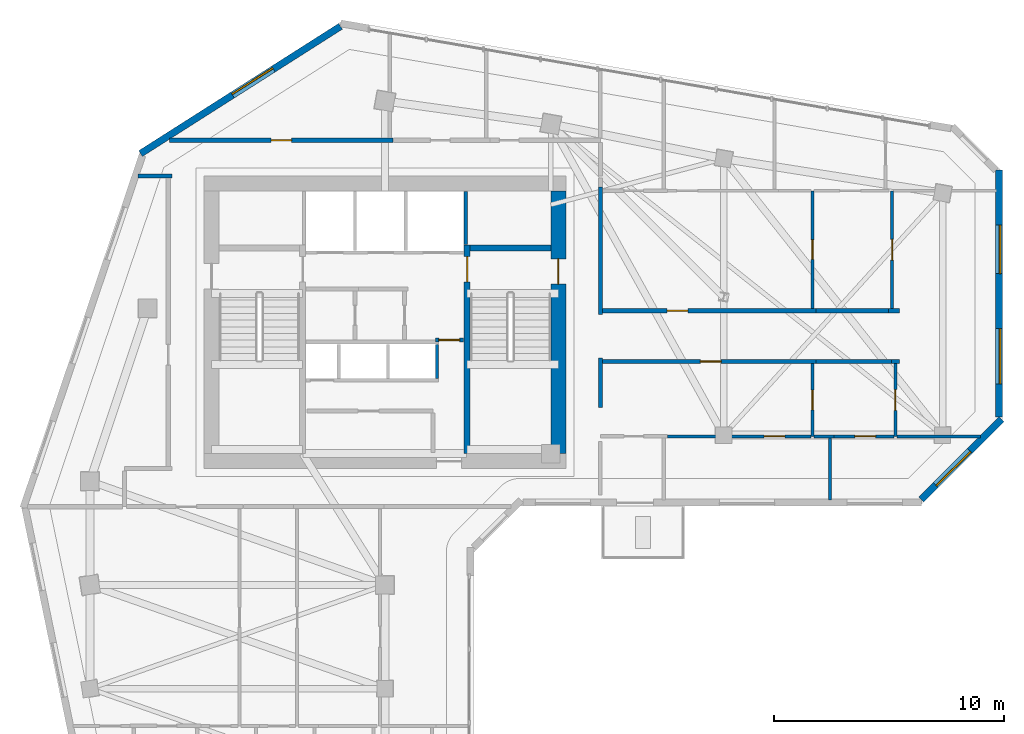
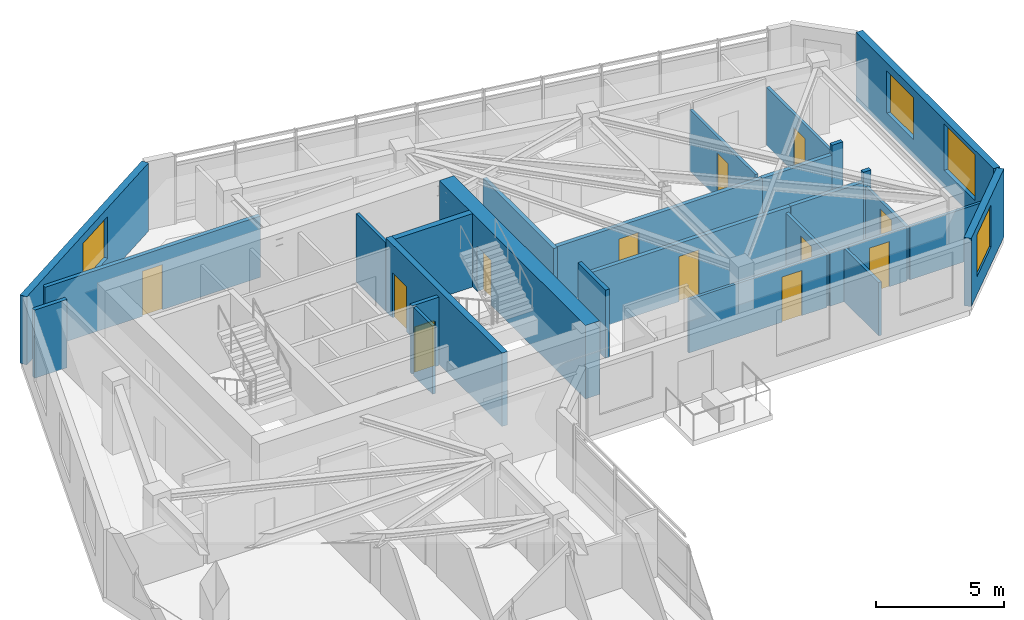
# One storey, part 7 of 11: 28 walls, 12 doors, 4 windows, 16 openings.
"""IFC4 building model written with IfcOpenShell, lengths in metres."""

from ifc_helpers import new_model, si_unit, direction, frame, frame_2d, origin, place, context, subcontext, project, spatial, rectangle, extrude, source, transform, mapped, material, layer, layer_set, type_object, element, fill, save


model = new_model("IFC4")

# Units and contexts
model_context = context("Model", 3, precision=1e-05, world=origin(), true_north=direction((0.0, 1.0)))
body_context = subcontext(model_context, "Body", "Model", "MODEL_VIEW")
ifc_project = project(units=[si_unit("LENGTHUNIT", "METRE"), si_unit("AREAUNIT", "SQUARE_METRE"), si_unit("VOLUMEUNIT", "CUBIC_METRE"), si_unit("PLANEANGLEUNIT", "RADIAN"), si_unit("MASSUNIT", "GRAM", prefix="KILO")], contexts=[model_context])

# Site, building, storey
site_placement = place(None, origin())
site = spatial("IfcSite", under=ifc_project, at=site_placement, CompositionType="ELEMENT")
building_placement = place(site_placement, origin())
building = spatial("IfcBuilding", under=site, at=building_placement, Name="Calvemar Wedge Station Tower", CompositionType="ELEMENT")
storey_placement = place(building_placement, frame((0.0, 0.0, 186.89990234375)))
storey = spatial("IfcBuildingStorey", under=building, at=storey_placement, Name="L46", CompositionType="ELEMENT", Elevation=186.89990234375)

# Wall, opening, door
ifc_material_1 = material(Name="Concrete C50", Category="concrete")
ifc_layer_1 = layer(ifc_material_1, 0.260009765625)
ifc_layer_set_1 = layer_set([ifc_layer_1], Name="Concrete C50")
wall_type_1 = type_object("IfcWallType", Name="SW-CORE-260", PredefinedType="SHEAR", material=ifc_layer_set_1)
wall_1_placement = place(storey_placement, frame((27.3701171875, 34.199951171875, 0.0), z_axis=(0.0, 0.0, 1.0), x_axis=(0.0, 1.0, 0.0)))
wall_1 = element("IfcWall", 1, at=wall_1_placement, inside=storey, type_object=wall_type_1, Name="Storey L46 Core Shear Wall SPINE-E", PredefinedType="SHEAR", context=body_context, shape_type="SweptSolid", body=[
    extrude(rectangle(XDim=9.06005859375, YDim=0.260009765625, at=frame_2d((4.530029296875, 0.0))), origin(), (0.0, 0.0, 1.0), 3.5),
])
shared_shape_1 = source(origin(), body_context, "Body", "SweptSolid", [
    extrude(rectangle(XDim=1.10009765625, YDim=2.14990234375, at=frame_2d((0.550048828125, 1.074951171875))), frame((0.0, 0.14013671875, 0.0), z_axis=(0.0, -1.0, 0.0), x_axis=(1.0, 0.0, 0.0)), (0.0, 0.0, 1.0), 0.280029296875),
])
opening_1_placement = place(wall_1_placement, frame((7.449951171875, 0.0, 0.0)))
opening_1 = element("IfcOpeningElement", 2, at=opening_1_placement, cuts=wall_1, Name="Opening FD-90", PredefinedType="OPENING", context=body_context, shape_type="MappedRepresentation", body=[
    mapped(shared_shape_1, transform((0.0, 0.0, 0.0), scale=1.0)),
])
ifc_material_2 = material(Name="Galvanized fire-rated steel door leaf P-90", Category="steel")
door_type_1 = type_object("IfcDoorType", Name="DR-FD90-1100", OperationType="NOTDEFINED", PredefinedType="DOOR", material=ifc_material_2)
shared_shape_2 = source(origin(), body_context, "Body", "SweptSolid", [
    extrude(rectangle(XDim=1.10009765625, YDim=2.14990234375, at=frame_2d((0.550048828125, 1.074951171875))), frame((0.0, 0.02490234375, 0.0), z_axis=(0.0, -1.0, 0.0), x_axis=(1.0, 0.0, 0.0)), (0.0, 0.0, 1.0), 0.050048828125),
])
door_1_placement = place(opening_1_placement, origin())
door_1 = element("IfcDoor", 3, at=door_1_placement, inside=storey, type_object=door_type_1, Name="L46 FF Lobby to Stair ST-C2 Door", OperationType="SINGLE_SWING_RIGHT", OverallHeight=2.14990234375, OverallWidth=1.10009765625, PredefinedType="DOOR", context=body_context, shape_type="MappedRepresentation", body=[
    mapped(shared_shape_2, transform((0.0, 0.0, 0.0), scale=1.0)),
])
fill(opening_1, door_1)

# Wall
wall_2_placement = place(storey_placement, frame((27.5, 43.1298828125, 0.0), z_axis=(0.0, 0.0, 1.0), x_axis=(1.0, 0.0, 0.0)))
element("IfcWall", 4, at=wall_2_placement, inside=storey, type_object=wall_type_1, Name="Storey L46 Core Shear Wall STC2-N", PredefinedType="SHEAR", context=body_context, shape_type="SweptSolid", body=[
    extrude(rectangle(XDim=3.5, YDim=0.260009765625, at=frame_2d((1.75, 0.0))), origin(), (0.0, 0.0, 1.0), 3.5),
])

# Wall, opening, door
ifc_material_3 = material(Name="Concrete C60", Category="concrete")
ifc_layer_2 = layer(ifc_material_3, 0.64990234375)
ifc_layer_set_2 = layer_set([ifc_layer_2], Name="Concrete C60")
wall_type_2 = type_object("IfcWallType", Name="SW-CORE-650", PredefinedType="SHEAR", material=ifc_layer_set_2)
wall_3_placement = place(storey_placement, frame((31.324951171875, 34.199951171875, 0.0), z_axis=(0.0, 0.0, 1.0), x_axis=(0.0, 1.0, 0.0)))
wall_3 = element("IfcWall", 5, at=wall_3_placement, inside=storey, type_object=wall_type_2, Name="Storey L46 Core Shear Wall E", PredefinedType="SHEAR", context=body_context, shape_type="SweptSolid", body=[
    extrude(rectangle(XDim=11.400146484375, YDim=0.64990234375, at=frame_2d((5.7001953125, 0.0))), origin(), (0.0, 0.0, 1.0), 3.5),
])
shared_shape_3 = source(origin(), body_context, "Body", "SweptSolid", [
    extrude(rectangle(XDim=1.10009765625, YDim=2.14990234375, at=frame_2d((0.550048828125, 1.074951171875))), frame((0.0, 0.3349609375, 0.0), z_axis=(0.0, -1.0, 0.0), x_axis=(1.0, 0.0, 0.0)), (0.0, 0.0, 1.0), 0.669921875),
])
opening_2_placement = place(wall_3_placement, frame((7.35009765625, 0.0, 0.0)))
opening_2 = element("IfcOpeningElement", 6, at=opening_2_placement, cuts=wall_3, Name="Opening FD-90", PredefinedType="OPENING", context=body_context, shape_type="MappedRepresentation", body=[
    mapped(shared_shape_3, transform((0.0, 0.0, 0.0), scale=1.0)),
])
door_2_placement = place(opening_2_placement, origin())
door_2 = element("IfcDoor", 7, at=door_2_placement, inside=storey, type_object=door_type_1, Name="L46 East Corridor to Exit Stair ST-C2 Door", OperationType="SINGLE_SWING_RIGHT", OverallHeight=2.14990234375, OverallWidth=1.10009765625, PredefinedType="DOOR", context=body_context, shape_type="MappedRepresentation", body=[
    mapped(shared_shape_2, transform((0.0, 0.0, 0.0), scale=1.0)),
])
fill(opening_2, door_2)

ifc_material_4 = material(Name="Double-stud fire-rated corridor partition")
ifc_layer_3 = layer(ifc_material_4, 0.179931640625)
ifc_layer_set_3 = layer_set([ifc_layer_3], Name="Double-stud fire-rated corridor partition")
wall_type_3 = type_object("IfcWallType", Name="W-CORR-180", PredefinedType="PARTITIONING", material=ifc_layer_set_3)
wall_4_placement = place(storey_placement, frame((27.199951171875, 39.1298828125, 0.0), z_axis=(0.0, 0.0, 1.0), x_axis=(-1.0, 0.0, 0.0)))
wall_4 = element("IfcWall", 8, at=wall_4_placement, inside=storey, type_object=wall_type_3, Name="Storey L46 Interior Partition WL-L46-005", PredefinedType="PARTITIONING", context=body_context, shape_type="SweptSolid", body=[
    extrude(rectangle(XDim=1.2099609375, YDim=0.179931640625, at=frame_2d((0.60498046875, 0.0))), origin(), (0.0, 0.0, 1.0), 3.25),
])
shared_shape_4 = source(origin(), body_context, "Body", "SweptSolid", [
    extrude(rectangle(XDim=0.89990234375, YDim=2.14990234375, at=frame_2d((0.449951171875, 1.074951171875))), frame((0.0, 0.10009765625, 0.0), z_axis=(0.0, -1.0, 0.0), x_axis=(1.0, 0.0, 0.0)), (0.0, 0.0, 1.0), 0.199951171875),
])
opening_3_placement = place(wall_4_placement, frame((0.155029296875, 0.0, 0.0)))
opening_3 = element("IfcOpeningElement", 9, at=opening_3_placement, cuts=wall_4, Name="Opening FD-60", PredefinedType="OPENING", context=body_context, shape_type="MappedRepresentation", body=[
    mapped(shared_shape_4, transform((0.0, 0.0, 0.0), scale=1.0)),
])
ifc_material_5 = material(Name="Fire-rated acoustic timber-core entrance door EI 60", Category="wood")
door_type_2 = type_object("IfcDoorType", Name="DR-FD60-900", OperationType="NOTDEFINED", PredefinedType="DOOR", material=ifc_material_5)
shared_shape_5 = source(origin(), body_context, "Body", "SweptSolid", [
    extrude(rectangle(XDim=0.89990234375, YDim=2.14990234375, at=frame_2d((0.449951171875, 1.074951171875))), frame((0.0, 0.02490234375, 0.0), z_axis=(0.0, -1.0, 0.0), x_axis=(1.0, 0.0, 0.0)), (0.0, 0.0, 1.0), 0.050048828125),
])
door_3_placement = place(opening_3_placement, origin())
door_3 = element("IfcDoor", 10, at=door_3_placement, inside=storey, type_object=door_type_2, Name="L46 Core Service Lobby Door", OperationType="SINGLE_SWING_RIGHT", OverallHeight=2.14990234375, OverallWidth=0.89990234375, PredefinedType="DOOR", context=body_context, shape_type="MappedRepresentation", body=[
    mapped(shared_shape_5, transform((0.0, 0.0, 0.0), scale=1.0)),
])
fill(opening_3, door_3)

# Wall
wall_5_placement = place(storey_placement, frame((14.56005859375, 46.25, 0.0), z_axis=(0.0, 0.0, 1.0), x_axis=(-1.0, 0.0, 0.0)))
element("IfcWall", 11, at=wall_5_placement, inside=storey, type_object=wall_type_3, Name="Storey L46 Interior Partition WL-L46-015", PredefinedType="PARTITIONING", context=body_context, shape_type="SweptSolid", body=[
    extrude(rectangle(XDim=1.46875, YDim=0.179931640625, at=frame_2d((0.734375, 0.0))), origin(), (0.0, 0.0, 1.0), 3.25),
])

# Wall, opening, door
wall_6_placement = place(storey_placement, frame((14.45263671875, 47.800048828125, 0.0), z_axis=(0.0, 0.0, 1.0), x_axis=(1.0, 0.0, 0.0)))
wall_6 = element("IfcWall", 12, at=wall_6_placement, inside=storey, type_object=wall_type_3, Name="Storey L46 Interior Partition WL-L46-016", PredefinedType="PARTITIONING", context=body_context, shape_type="SweptSolid", body=[
    extrude(rectangle(XDim=9.707275390625, YDim=0.179931640625, at=frame_2d((4.853515625, 0.0))), origin(), (0.0, 0.0, 1.0), 2.919189453125),
])
opening_4_placement = place(wall_6_placement, frame((4.40380859375, 0.0, 0.0)))
opening_4 = element("IfcOpeningElement", 13, at=opening_4_placement, cuts=wall_6, Name="Opening D-01", PredefinedType="OPENING", context=body_context, shape_type="MappedRepresentation", body=[
    mapped(shared_shape_4, transform((0.0, 0.0, 0.0), scale=1.0)),
])
ifc_material_6 = material(Name="Architectural hardwood acoustic swing door", Category="wood")
door_type_3 = type_object("IfcDoorType", Name="DR-INT-900", OperationType="NOTDEFINED", PredefinedType="DOOR", material=ifc_material_6)
shared_shape_6 = source(origin(), body_context, "Body", "SweptSolid", [
    extrude(rectangle(XDim=0.89990234375, YDim=2.14990234375, at=frame_2d((0.449951171875, 1.074951171875))), frame((0.0, 0.02490234375, 0.0), z_axis=(0.0, -1.0, 0.0), x_axis=(1.0, 0.0, 0.0)), (0.0, 0.0, 1.0), 0.050048828125),
])
door_4_placement = place(opening_4_placement, origin())
door_4 = element("IfcDoor", 14, at=door_4_placement, inside=storey, type_object=door_type_3, Name="L46 Resident Reading Study Door", OperationType="SINGLE_SWING_LEFT", OverallHeight=2.14990234375, OverallWidth=0.89990234375, PredefinedType="DOOR", context=body_context, shape_type="MappedRepresentation", body=[
    mapped(shared_shape_6, transform((0.0, 0.0, 0.0), scale=1.0)),
])
fill(opening_4, door_4)

# Walls
wall_7_placement = place(storey_placement, frame((33.14990234375, 45.76611328125, 0.0), z_axis=(0.0, 0.0, 1.0), x_axis=(0.0, -1.0, 0.0)))
element("IfcWall", 15, at=wall_7_placement, inside=storey, type_object=wall_type_3, Name="Storey L46 Interior Partition WL-L46-020", PredefinedType="PARTITIONING", context=body_context, shape_type="SweptSolid", body=[
    extrude(rectangle(XDim=5.526123046875, YDim=0.179931640625, at=frame_2d((2.76318359375, 0.0))), origin(), (0.0, 0.0, 1.0), 2.779052734375),
])
wall_8_placement = place(storey_placement, frame((33.14990234375, 38.360107421875, 0.0), z_axis=(0.0, 0.0, 1.0), x_axis=(0.0, -1.0, 0.0)))
element("IfcWall", 16, at=wall_8_placement, inside=storey, type_object=wall_type_3, Name="Storey L46 Interior Partition WL-L46-022", PredefinedType="PARTITIONING", context=body_context, shape_type="SweptSolid", body=[
    extrude(rectangle(XDim=2.16015625, YDim=0.179931640625, at=frame_2d((1.080078125, 0.0))), origin(), (0.0, 0.0, 1.0), 3.25),
])
wall_9_placement = place(storey_placement, frame((45.64794921875, 40.39990234375, 0.0), z_axis=(0.0, 0.0, 1.0), x_axis=(1.0, 0.0, 0.0)))
element("IfcWall", 17, at=wall_9_placement, inside=storey, type_object=wall_type_3, Name="Storey L46 Interior Partition WL-L46-027", PredefinedType="PARTITIONING", context=body_context, shape_type="SweptSolid", body=[
    extrude(rectangle(XDim=0.487060546875, YDim=0.179931640625, at=frame_2d((0.24365234375, 0.0))), origin(), (0.0, 0.0, 1.0), 3.25),
])

# Wall, opening, door
wall_10_placement = place(storey_placement, frame((33.243896484375, 40.39990234375, 0.0), z_axis=(0.0, 0.0, 1.0), x_axis=(1.0, 0.0, 0.0)))
wall_10 = element("IfcWall", 18, at=wall_10_placement, inside=storey, type_object=wall_type_3, Name="Storey L46 Interior Partition WL-L46-028", PredefinedType="PARTITIONING", context=body_context, shape_type="SweptSolid", body=[
    extrude(rectangle(XDim=9.26611328125, YDim=0.179931640625, at=frame_2d((4.633056640625, 0.0))), origin(), (0.0, 0.0, 1.0), 2.76611328125),
])
opening_5_placement = place(wall_10_placement, frame((2.802001953125, 0.0, 0.0)))
opening_5 = element("IfcOpeningElement", 19, at=opening_5_placement, cuts=wall_10, Name="Opening FD-60", PredefinedType="OPENING", context=body_context, shape_type="MappedRepresentation", body=[
    mapped(shared_shape_4, transform((0.0, 0.0, 0.0), scale=1.0)),
])
door_5_placement = place(opening_5_placement, origin())
door_5 = element("IfcDoor", 20, at=door_5_placement, inside=storey, type_object=door_type_2, Name="L46 Living Dining Door", OperationType="SINGLE_SWING_LEFT", OverallHeight=2.14990234375, OverallWidth=0.89990234375, PredefinedType="DOOR", context=body_context, shape_type="MappedRepresentation", body=[
    mapped(shared_shape_5, transform((0.0, 0.0, 0.0), scale=1.0)),
])
fill(opening_5, door_5)

# Walls
wall_11_placement = place(storey_placement, frame((42.511962890625, 40.39990234375, 0.0), z_axis=(0.0, 0.0, 1.0), x_axis=(1.0, 0.0, 0.0)))
element("IfcWall", 21, at=wall_11_placement, inside=storey, type_object=wall_type_3, Name="Storey L46 Interior Partition WL-L46-029", PredefinedType="PARTITIONING", context=body_context, shape_type="SweptSolid", body=[
    extrude(rectangle(XDim=3.134033203125, YDim=0.179931640625, at=frame_2d((1.56689453125, 0.0))), origin(), (0.0, 0.0, 1.0), 2.779052734375),
])
wall_12_placement = place(storey_placement, frame((46.135009765625, 38.199951171875, 0.0), z_axis=(0.0, 0.0, 1.0), x_axis=(-1.0, 0.0, 0.0)))
element("IfcWall", 22, at=wall_12_placement, inside=storey, type_object=wall_type_3, Name="Storey L46 Interior Partition WL-L46-030", PredefinedType="PARTITIONING", context=body_context, shape_type="SweptSolid", body=[
    extrude(rectangle(XDim=0.344970703125, YDim=0.179931640625, at=frame_2d((0.17236328125, 0.0))), origin(), (0.0, 0.0, 1.0), 3.25),
])

# Wall, opening, door
wall_13_placement = place(storey_placement, frame((42.510009765625, 38.199951171875, 0.0), z_axis=(0.0, 0.0, 1.0), x_axis=(-1.0, 0.0, 0.0)))
wall_13 = element("IfcWall", 23, at=wall_13_placement, inside=storey, type_object=wall_type_3, Name="Storey L46 Interior Partition WL-L46-031", PredefinedType="PARTITIONING", context=body_context, shape_type="SweptSolid", body=[
    extrude(rectangle(XDim=9.26611328125, YDim=0.179931640625, at=frame_2d((4.633056640625, 0.0))), origin(), (0.0, 0.0, 1.0), 2.76611328125),
])
opening_6_placement = place(wall_13_placement, frame((4.123046875, 0.0, 0.0)))
opening_6 = element("IfcOpeningElement", 24, at=opening_6_placement, cuts=wall_13, Name="Opening FD-60", PredefinedType="OPENING", context=body_context, shape_type="MappedRepresentation", body=[
    mapped(shared_shape_4, transform((0.0, 0.0, 0.0), scale=1.0)),
])
door_6_placement = place(opening_6_placement, origin())
door_6 = element("IfcDoor", 25, at=door_6_placement, inside=storey, type_object=door_type_2, Name="L46 Living Dining Door", OperationType="SINGLE_SWING_RIGHT", OverallHeight=2.14990234375, OverallWidth=0.89990234375, PredefinedType="DOOR", context=body_context, shape_type="MappedRepresentation", body=[
    mapped(shared_shape_5, transform((0.0, 0.0, 0.0), scale=1.0)),
])
fill(opening_6, door_6)

# Wall
wall_14_placement = place(storey_placement, frame((45.7880859375, 38.199951171875, 0.0), z_axis=(0.0, 0.0, 1.0), x_axis=(-1.0, 0.0, 0.0)))
element("IfcWall", 26, at=wall_14_placement, inside=storey, type_object=wall_type_3, Name="Storey L46 Interior Partition WL-L46-032", PredefinedType="PARTITIONING", context=body_context, shape_type="SweptSolid", body=[
    extrude(rectangle(XDim=3.276123046875, YDim=0.179931640625, at=frame_2d((1.63818359375, 0.0))), origin(), (0.0, 0.0, 1.0), 2.779052734375),
])

# Wall, opening, window
ifc_material_7 = material(Name="Precast concrete C45", Category="concrete")
ifc_layer_4 = layer(ifc_material_7, 0.300048828125)
ifc_layer_set_4 = layer_set([ifc_layer_4], Name="Precast concrete C45")
wall_type_4 = type_object("IfcWallType", Name="W-EXT-GFRC-300", PredefinedType="SOLIDWALL", material=ifc_layer_set_4)
wall_15_placement = place(storey_placement, frame((47.075927734375, 32.2119140625, 0.0), z_axis=(0.0, 0.0, 1.0), x_axis=(0.707106781187, 0.707106781187, 0.0)))
wall_15 = element("IfcWall", 27, at=wall_15_placement, inside=storey, type_object=wall_type_4, Name="Storey L46 Bronze GFRC Exterior Wall 7", PredefinedType="SOLIDWALL", context=body_context, shape_type="SweptSolid", body=[
    extrude(rectangle(XDim=4.921875, YDim=0.300048828125, at=frame_2d((2.4609375, 0.0))), origin(), (0.0, 0.0, 1.0), 3.25),
])
shared_shape_7 = source(origin(), body_context, "Body", "SweptSolid", [
    extrude(rectangle(XDim=2.10009765625, YDim=2.0, at=frame_2d((1.050048828125, 1.0))), frame((0.0, 0.16015625, 0.0), z_axis=(0.0, -1.0, 0.0), x_axis=(1.0, 0.0, 0.0)), (0.0, 0.0, 1.0), 0.320068359375),
])
opening_7_placement = place(wall_15_placement, frame((0.87890625, 0.0, 0.85009765625)))
opening_7 = element("IfcOpeningElement", 28, at=opening_7_placement, cuts=wall_15, Name="Opening W4", PredefinedType="OPENING", context=body_context, shape_type="MappedRepresentation", body=[
    mapped(shared_shape_7, transform((0.0, 0.0, 0.0), scale=1.0)),
])
ifc_material_8 = material(Name="Low-E laminated insulated glass", Category="glass")
window_type_1 = type_object("IfcWindowType", Name="WIN-EXT-4", PartitioningType="SINGLE_PANEL", PredefinedType="WINDOW", material=ifc_material_8)
shared_shape_8 = source(origin(), body_context, "Body", "SweptSolid", [
    extrude(rectangle(XDim=2.10009765625, YDim=2.0, at=frame_2d((1.050048828125, 1.0))), frame((0.0, -0.014892578125, 0.0), z_axis=(0.0, -1.0, 0.0), x_axis=(1.0, 0.0, 0.0)), (0.0, 0.0, 1.0), 0.06005859375),
])
window_1_placement = place(opening_7_placement, origin())
window_1 = element("IfcWindow", 29, at=window_1_placement, inside=storey, type_object=window_type_1, Name="Storey L46 Recessed Window 7.1", OverallHeight=2.0, OverallWidth=2.10009765625, PartitioningType="SINGLE_PANEL", PredefinedType="WINDOW", context=body_context, shape_type="MappedRepresentation", body=[
    mapped(shared_shape_8, transform((0.0, 0.0, 0.0), scale=1.0)),
])
fill(opening_7, window_1)

# Wall, openings, windows
wall_16_placement = place(storey_placement, frame((50.449951171875, 35.78125, 0.0), z_axis=(0.0, 0.0, 1.0), x_axis=(0.0, 1.0, 0.0)))
wall_16 = element("IfcWall", 30, at=wall_16_placement, inside=storey, type_object=wall_type_4, Name="Storey L46 Bronze GFRC Exterior Wall 8", PredefinedType="SOLIDWALL", context=body_context, shape_type="SweptSolid", body=[
    extrude(rectangle(XDim=10.730712890625, YDim=0.300048828125, at=frame_2d((5.365234375, 0.0))), origin(), (0.0, 0.0, 1.0), 3.25),
])
shared_shape_9 = source(origin(), body_context, "Body", "SweptSolid", [
    extrude(rectangle(XDim=2.39990234375, YDim=2.199951171875, at=frame_2d((1.199951171875, 1.10009765625))), frame((0.0, 0.16015625, 0.0), z_axis=(0.0, -1.0, 0.0), x_axis=(1.0, 0.0, 0.0)), (0.0, 0.0, 1.0), 0.320068359375),
])
opening_8_placement = place(wall_16_placement, frame((1.44091796875, 0.0, 0.85009765625)))
opening_8 = element("IfcOpeningElement", 31, at=opening_8_placement, cuts=wall_16, Name="Opening W1", PredefinedType="OPENING", context=body_context, shape_type="MappedRepresentation", body=[
    mapped(shared_shape_9, transform((0.0, 0.0, 0.0), scale=1.0)),
])
opening_9_placement = place(wall_16_placement, frame((6.23388671875, 0.0, 0.85009765625)))
opening_9 = element("IfcOpeningElement", 32, at=opening_9_placement, cuts=wall_16, Name="Opening W4", PredefinedType="OPENING", context=body_context, shape_type="MappedRepresentation", body=[
    mapped(shared_shape_7, transform((0.0, 0.0, 0.0), scale=1.0)),
])
window_2_placement = place(opening_9_placement, origin())
window_2 = element("IfcWindow", 33, at=window_2_placement, inside=storey, type_object=window_type_1, Name="Storey L46 Recessed Window 8.2", OverallHeight=2.0, OverallWidth=2.10009765625, PartitioningType="SINGLE_PANEL", PredefinedType="WINDOW", context=body_context, shape_type="MappedRepresentation", body=[
    mapped(shared_shape_8, transform((0.0, 0.0, 0.0), scale=1.0)),
])
fill(opening_9, window_2)
window_type_2 = type_object("IfcWindowType", Name="WIN-EXT-1", PartitioningType="SINGLE_PANEL", PredefinedType="WINDOW", material=ifc_material_8)
shared_shape_10 = source(origin(), body_context, "Body", "SweptSolid", [
    extrude(rectangle(XDim=2.39990234375, YDim=2.199951171875, at=frame_2d((1.199951171875, 1.10009765625))), frame((0.0, -0.014892578125, 0.0), z_axis=(0.0, -1.0, 0.0), x_axis=(1.0, 0.0, 0.0)), (0.0, 0.0, 1.0), 0.06005859375),
])
window_3_placement = place(opening_8_placement, origin())
window_3 = element("IfcWindow", 34, at=window_3_placement, inside=storey, type_object=window_type_2, Name="Storey L46 Recessed Window 8.1", OverallHeight=2.199951171875, OverallWidth=2.39990234375, PartitioningType="SINGLE_PANEL", PredefinedType="WINDOW", context=body_context, shape_type="MappedRepresentation", body=[
    mapped(shared_shape_10, transform((0.0, 0.0, 0.0), scale=1.0)),
])
fill(opening_8, window_3)

# Wall, opening, window
wall_17_placement = place(storey_placement, frame((21.87451171875, 52.7421875, 0.0), z_axis=(0.0, 0.0, 1.0), x_axis=(-0.843666375448, -0.536867811419, 0.0)))
wall_17 = element("IfcWall", 35, at=wall_17_placement, inside=storey, type_object=wall_type_4, Name="Storey L46 Bronze GFRC Exterior Wall 11", PredefinedType="SOLIDWALL", context=body_context, shape_type="SweptSolid", body=[
    extrude(rectangle(XDim=10.28369140625, YDim=0.300048828125, at=frame_2d((5.141845703125, 0.0))), origin(), (0.0, 0.0, 1.0), 3.25),
])
opening_10_placement = place(wall_17_placement, frame((3.45703125, 0.0, 0.85009765625)))
opening_10 = element("IfcOpeningElement", 36, at=opening_10_placement, cuts=wall_17, Name="Opening W4", PredefinedType="OPENING", context=body_context, shape_type="MappedRepresentation", body=[
    mapped(shared_shape_7, transform((0.0, 0.0, 0.0), scale=1.0)),
])
window_4_placement = place(opening_10_placement, origin())
window_4 = element("IfcWindow", 37, at=window_4_placement, inside=storey, type_object=window_type_1, Name="Storey L46 Recessed Window 11.1", OverallHeight=2.0, OverallWidth=2.10009765625, PartitioningType="SINGLE_PANEL", PredefinedType="WINDOW", context=body_context, shape_type="MappedRepresentation", body=[
    mapped(shared_shape_8, transform((0.0, 0.0, 0.0), scale=1.0)),
])
fill(opening_10, window_4)

# Walls
ifc_material_9 = material(Name="Reinforced concrete blockwork lift shaft wall", Category="masonry")
ifc_layer_5 = layer(ifc_material_9, 0.139892578125)
ifc_layer_set_5 = layer_set([ifc_layer_5], Name="Reinforced concrete blockwork lift shaft wall")
wall_type_5 = type_object("IfcWallType", Name="W-LIFT-160", PredefinedType="SOLIDWALL", material=ifc_layer_set_5)
wall_18_placement = place(storey_placement, frame((27.31005859375, 43.280029296875, 0.0), z_axis=(0.0, 0.0, 1.0), x_axis=(0.0, 1.0, 0.0)))
element("IfcWall", 38, at=wall_18_placement, inside=storey, type_object=wall_type_5, Name="Storey L46 Firefighting Lift Shaft Enclosure Wall E", PredefinedType="SOLIDWALL", context=body_context, shape_type="SweptSolid", body=[
    extrude(rectangle(XDim=2.300048828125, YDim=0.139892578125, at=frame_2d((1.14990234375, 0.0))), origin(), (0.0, 0.0, 1.0), 3.25),
])
wall_19_placement = place(storey_placement, frame((26.06005859375, 37.4599609375, 0.0), z_axis=(0.0, 0.0, 1.0), x_axis=(0.0, 1.0, 0.0)))
element("IfcWall", 39, at=wall_19_placement, inside=storey, type_object=wall_type_5, Name="Storey L46 Upper Passenger Lift Shaft Wall E", PredefinedType="SOLIDWALL", context=body_context, shape_type="SweptSolid", body=[
    extrude(rectangle(XDim=1.47998046875, YDim=0.139892578125, at=frame_2d((0.739990234375, 0.0))), origin(), (0.0, 0.0, 1.0), 3.25),
])

# Wall, opening, door
ifc_material_10 = material(Name="Insulated acoustic gypsum stud partition")
ifc_layer_6 = layer(ifc_material_10, 0.125)
ifc_layer_set_6 = layer_set([ifc_layer_6], Name="Insulated acoustic gypsum stud partition")
wall_type_6 = type_object("IfcWallType", Name="W-PART-125", PredefinedType="PARTITIONING", material=ifc_layer_set_6)
wall_20_placement = place(storey_placement, frame((45.80810546875, 40.493896484375, 0.0), z_axis=(0.0, 0.0, 1.0), x_axis=(0.0, 1.0, 0.0)))
wall_20 = element("IfcWall", 40, at=wall_20_placement, inside=storey, type_object=wall_type_6, Name="Storey L46 Interior Partition WL-L46-033", PredefinedType="PARTITIONING", context=body_context, shape_type="SweptSolid", body=[
    extrude(rectangle(XDim=5.112060546875, YDim=0.125, at=frame_2d((2.55615234375, 0.0))), origin(), (0.0, 0.0, 1.0), 2.779052734375),
])
shared_shape_11 = source(origin(), body_context, "Body", "SweptSolid", [
    extrude(rectangle(XDim=0.89990234375, YDim=2.14990234375, at=frame_2d((0.449951171875, 1.074951171875))), frame((0.0, 0.072509765625, 0.0), z_axis=(0.0, -1.0, 0.0), x_axis=(1.0, 0.0, 0.0)), (0.0, 0.0, 1.0), 0.14501953125),
])
opening_11_placement = place(wall_20_placement, frame((2.10595703125, 0.0, 0.0)))
opening_11 = element("IfcOpeningElement", 41, at=opening_11_placement, cuts=wall_20, Name="Opening D-01", PredefinedType="OPENING", context=body_context, shape_type="MappedRepresentation", body=[
    mapped(shared_shape_11, transform((0.0, 0.0, 0.0), scale=1.0)),
])
door_7_placement = place(opening_11_placement, origin())
door_7 = element("IfcDoor", 42, at=door_7_placement, inside=storey, type_object=door_type_3, Name="L46 Study Door", OperationType="SINGLE_SWING_RIGHT", OverallHeight=2.14990234375, OverallWidth=0.89990234375, PredefinedType="DOOR", context=body_context, shape_type="MappedRepresentation", body=[
    mapped(shared_shape_6, transform((0.0, 0.0, 0.0), scale=1.0)),
])
fill(opening_11, door_7)

wall_21_placement = place(storey_placement, frame((42.35009765625, 45.60595703125, 0.0), z_axis=(0.0, 0.0, 1.0), x_axis=(0.0, -1.0, 0.0)))
wall_21 = element("IfcWall", 43, at=wall_21_placement, inside=storey, type_object=wall_type_6, Name="Storey L46 Interior Partition WL-L46-035", PredefinedType="PARTITIONING", context=body_context, shape_type="SweptSolid", body=[
    extrude(rectangle(XDim=5.112060546875, YDim=0.125, at=frame_2d((2.55615234375, 0.0))), origin(), (0.0, 0.0, 1.0), 2.919189453125),
])
shared_shape_12 = source(origin(), body_context, "Body", "SweptSolid", [
    extrude(rectangle(XDim=0.85009765625, YDim=2.14990234375, at=frame_2d((0.425048828125, 1.074951171875))), frame((0.0, 0.072509765625, 0.0), z_axis=(0.0, -1.0, 0.0), x_axis=(1.0, 0.0, 0.0)), (0.0, 0.0, 1.0), 0.14501953125),
])
opening_12_placement = place(wall_21_placement, frame((2.131103515625, 0.0, 0.0)))
opening_12 = element("IfcOpeningElement", 44, at=opening_12_placement, cuts=wall_21, Name="Opening D-02", PredefinedType="OPENING", context=body_context, shape_type="MappedRepresentation", body=[
    mapped(shared_shape_12, transform((0.0, 0.0, 0.0), scale=1.0)),
])
ifc_material_11 = material(Name="Moisture-sealed bathroom hardwood swing door", Category="wood")
door_type_4 = type_object("IfcDoorType", Name="DR-WET-850", OperationType="NOTDEFINED", PredefinedType="DOOR", material=ifc_material_11)
shared_shape_13 = source(origin(), body_context, "Body", "SweptSolid", [
    extrude(rectangle(XDim=0.85009765625, YDim=2.14990234375, at=frame_2d((0.425048828125, 1.074951171875))), frame((0.0, 0.02490234375, 0.0), z_axis=(0.0, -1.0, 0.0), x_axis=(1.0, 0.0, 0.0)), (0.0, 0.0, 1.0), 0.050048828125),
])
door_8_placement = place(opening_12_placement, origin())
door_8 = element("IfcDoor", 45, at=door_8_placement, inside=storey, type_object=door_type_4, Name="L46 Kitchen Door", OperationType="SINGLE_SWING_RIGHT", OverallHeight=2.14990234375, OverallWidth=0.85009765625, PredefinedType="DOOR", context=body_context, shape_type="MappedRepresentation", body=[
    mapped(shared_shape_13, transform((0.0, 0.0, 0.0), scale=1.0)),
])
fill(opening_12, door_8)

wall_22_placement = place(storey_placement, frame((45.949951171875, 34.949951171875, 0.0), z_axis=(0.0, 0.0, 1.0), x_axis=(0.0, 1.0, 0.0)))
wall_22 = element("IfcWall", 46, at=wall_22_placement, inside=storey, type_object=wall_type_6, Name="Storey L46 Interior Partition WL-L46-043", PredefinedType="PARTITIONING", context=body_context, shape_type="SweptSolid", body=[
    extrude(rectangle(XDim=3.156005859375, YDim=0.125, at=frame_2d((1.578125, 0.0))), origin(), (0.0, 0.0, 1.0), 2.5419921875),
])
opening_13_placement = place(wall_22_placement, frame((1.1279296875, 0.0, 0.0)))
opening_13 = element("IfcOpeningElement", 47, at=opening_13_placement, cuts=wall_22, Name="Opening D-01", PredefinedType="OPENING", context=body_context, shape_type="MappedRepresentation", body=[
    mapped(shared_shape_11, transform((0.0, 0.0, 0.0), scale=1.0)),
])
door_9_placement = place(opening_13_placement, origin())
door_9 = element("IfcDoor", 48, at=door_9_placement, inside=storey, type_object=door_type_3, Name="L46 Study Door", OperationType="SINGLE_SWING_LEFT", OverallHeight=2.14990234375, OverallWidth=0.89990234375, PredefinedType="DOOR", context=body_context, shape_type="MappedRepresentation", body=[
    mapped(shared_shape_6, transform((0.0, 0.0, 0.0), scale=1.0)),
])
fill(opening_13, door_9)

# Wall
wall_23_placement = place(storey_placement, frame((49.651123046875, 34.949951171875, 0.0), z_axis=(0.0, 0.0, 1.0), x_axis=(-1.0, 0.0, 0.0)))
element("IfcWall", 49, at=wall_23_placement, inside=storey, type_object=wall_type_6, Name="Storey L46 Interior Partition WL-L46-044", PredefinedType="PARTITIONING", context=body_context, shape_type="SweptSolid", body=[
    extrude(rectangle(XDim=3.634521484375, YDim=0.125, at=frame_2d((1.8173828125, 0.0))), origin(), (0.0, 0.0, 1.0), 2.5419921875),
])

# Wall, opening, door
wall_24_placement = place(storey_placement, frame((42.35009765625, 38.10595703125, 0.0), z_axis=(0.0, 0.0, 1.0), x_axis=(0.0, -1.0, 0.0)))
wall_24 = element("IfcWall", 50, at=wall_24_placement, inside=storey, type_object=wall_type_6, Name="Storey L46 Interior Partition WL-L46-045", PredefinedType="PARTITIONING", context=body_context, shape_type="SweptSolid", body=[
    extrude(rectangle(XDim=3.156005859375, YDim=0.125, at=frame_2d((1.578125, 0.0))), origin(), (0.0, 0.0, 1.0), 2.5419921875),
])
opening_14_placement = place(wall_24_placement, frame((1.153076171875, 0.0, 0.0)))
opening_14 = element("IfcOpeningElement", 51, at=opening_14_placement, cuts=wall_24, Name="Opening D-02", PredefinedType="OPENING", context=body_context, shape_type="MappedRepresentation", body=[
    mapped(shared_shape_12, transform((0.0, 0.0, 0.0), scale=1.0)),
])
door_10_placement = place(opening_14_placement, origin())
door_10 = element("IfcDoor", 52, at=door_10_placement, inside=storey, type_object=door_type_4, Name="L46 Kitchen Door", OperationType="SINGLE_SWING_LEFT", OverallHeight=2.14990234375, OverallWidth=0.85009765625, PredefinedType="DOOR", context=body_context, shape_type="MappedRepresentation", body=[
    mapped(shared_shape_13, transform((0.0, 0.0, 0.0), scale=1.0)),
])
fill(opening_14, door_10)

wall_25_placement = place(storey_placement, frame((42.283447265625, 34.949951171875, 0.0), z_axis=(0.0, 0.0, 1.0), x_axis=(-1.0, 0.0, 0.0)))
wall_25 = element("IfcWall", 53, at=wall_25_placement, inside=storey, type_object=wall_type_6, Name="Storey L46 Interior Partition WL-L46-047", PredefinedType="PARTITIONING", context=body_context, shape_type="SweptSolid", body=[
    extrude(rectangle(XDim=6.221435546875, YDim=0.125, at=frame_2d((3.11083984375, 0.0))), origin(), (0.0, 0.0, 1.0), 2.5419921875),
])
opening_15_placement = place(wall_25_placement, frame((1.134521484375, 0.0, 0.0)))
opening_15 = element("IfcOpeningElement", 54, at=opening_15_placement, cuts=wall_25, Name="Opening D-01", PredefinedType="OPENING", context=body_context, shape_type="MappedRepresentation", body=[
    mapped(shared_shape_11, transform((0.0, 0.0, 0.0), scale=1.0)),
])
door_11_placement = place(opening_15_placement, origin())
door_11 = element("IfcDoor", 55, at=door_11_placement, inside=storey, type_object=door_type_3, Name="L46 Master Bedroom Door", OperationType="SINGLE_SWING_LEFT", OverallHeight=2.14990234375, OverallWidth=0.89990234375, PredefinedType="DOOR", context=body_context, shape_type="MappedRepresentation", body=[
    mapped(shared_shape_6, transform((0.0, 0.0, 0.0), scale=1.0)),
])
fill(opening_15, door_11)

# Wall
wall_26_placement = place(storey_placement, frame((43.277099609375, 34.949951171875, 0.0), z_axis=(0.0, 0.0, 1.0), x_axis=(-1.0, 0.0, 0.0)))
element("IfcWall", 56, at=wall_26_placement, inside=storey, type_object=wall_type_6, Name="Storey L46 Interior Partition WL-L46-048", PredefinedType="PARTITIONING", context=body_context, shape_type="SweptSolid", body=[
    extrude(rectangle(XDim=0.860595703125, YDim=0.125, at=frame_2d((0.43017578125, 0.0))), origin(), (0.0, 0.0, 1.0), 2.5419921875),
])

# Wall, opening, door
wall_27_placement = place(storey_placement, frame((45.883544921875, 34.949951171875, 0.0), z_axis=(0.0, 0.0, 1.0), x_axis=(-1.0, 0.0, 0.0)))
wall_27 = element("IfcWall", 57, at=wall_27_placement, inside=storey, type_object=wall_type_6, Name="Storey L46 Interior Partition WL-L46-049", PredefinedType="PARTITIONING", context=body_context, shape_type="SweptSolid", body=[
    extrude(rectangle(XDim=2.6044921875, YDim=0.125, at=frame_2d((1.30224609375, 0.0))), origin(), (0.0, 0.0, 1.0), 2.5419921875),
])
opening_16_placement = place(wall_27_placement, frame((0.788818359375, 0.0, 0.0)))
opening_16 = element("IfcOpeningElement", 58, at=opening_16_placement, cuts=wall_27, Name="Opening D-01", PredefinedType="OPENING", context=body_context, shape_type="MappedRepresentation", body=[
    mapped(shared_shape_11, transform((0.0, 0.0, 0.0), scale=1.0)),
])
door_12_placement = place(opening_16_placement, origin())
door_12 = element("IfcDoor", 59, at=door_12_placement, inside=storey, type_object=door_type_3, Name="L46 Master Bedroom Door", OperationType="SINGLE_SWING_RIGHT", OverallHeight=2.14990234375, OverallWidth=0.89990234375, PredefinedType="DOOR", context=body_context, shape_type="MappedRepresentation", body=[
    mapped(shared_shape_6, transform((0.0, 0.0, 0.0), scale=1.0)),
])
fill(opening_16, door_12)

# Wall
wall_28_placement = place(storey_placement, frame((43.116943359375, 34.883544921875, 0.0), z_axis=(0.0, 0.0, 1.0), x_axis=(0.0, -1.0, 0.0)))
element("IfcWall", 60, at=wall_28_placement, inside=storey, type_object=wall_type_6, Name="Storey L46 Interior Partition WL-L46-051", PredefinedType="PARTITIONING", context=body_context, shape_type="SweptSolid", body=[
    extrude(rectangle(XDim=2.694580078125, YDim=0.125, at=frame_2d((1.34716796875, 0.0))), origin(), (0.0, 0.0, 1.0), 2.5419921875),
])

save(model, "model.ifc")
